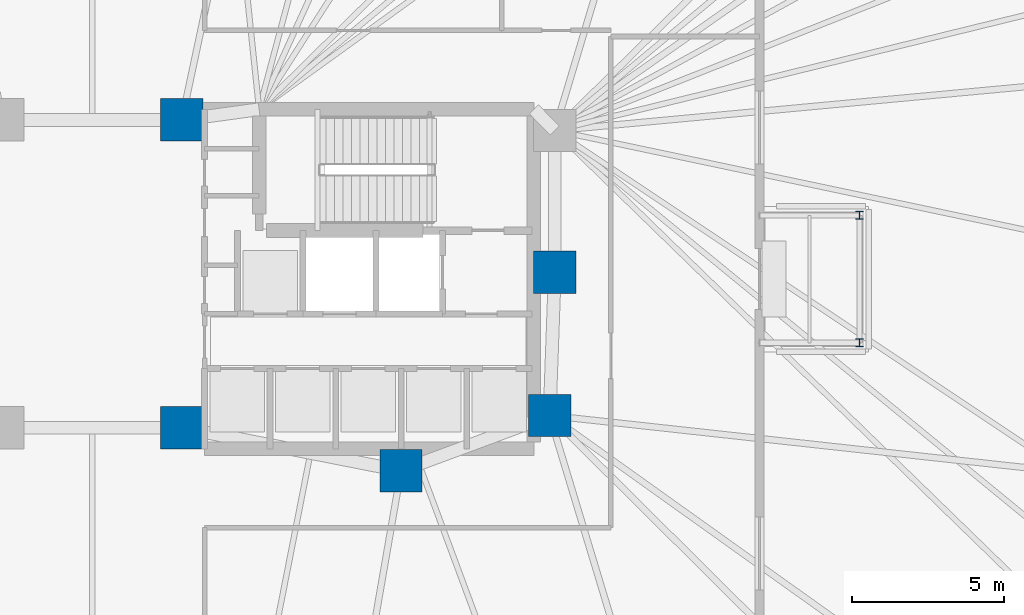
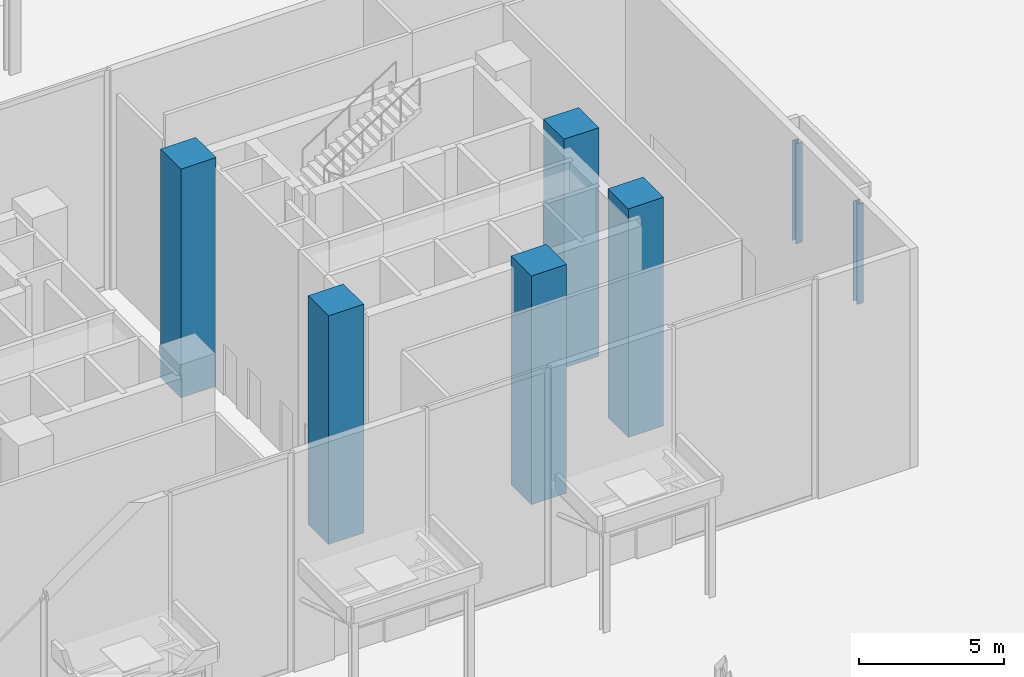
# One storey, part 6 of 24: 7 columns.
"""IFC4 building model written with IfcOpenShell, lengths in metres."""

from ifc_helpers import new_model, si_unit, direction, frame, origin, origin_2d, place, context, subcontext, project, spatial, rectangle, i_section, extrude, material, material_profile, profile_set, type_object, element, save


model = new_model("IFC4")

# Units and contexts
model_context = context("Model", 3, precision=1e-05, world=origin(), true_north=direction((0.0, 1.0)))
body_context = subcontext(model_context, "Body", "Model", "MODEL_VIEW")
ifc_project = project(units=[si_unit("LENGTHUNIT", "METRE"), si_unit("AREAUNIT", "SQUARE_METRE"), si_unit("VOLUMEUNIT", "CUBIC_METRE"), si_unit("PLANEANGLEUNIT", "RADIAN"), si_unit("MASSUNIT", "GRAM", prefix="KILO")], contexts=[model_context])

# Site, building, storey
site_placement = place(None, origin())
site = spatial("IfcSite", under=ifc_project, at=site_placement, CompositionType="ELEMENT")
building_placement = place(site_placement, origin())
building = spatial("IfcBuilding", under=site, at=building_placement, Name="Menara Jurai Vektor", CompositionType="ELEMENT")
storey_placement = place(building_placement, origin())
storey = spatial("IfcBuildingStorey", under=building, at=storey_placement, Name="L00", CompositionType="ELEMENT", Elevation=0.0)

# Columns
ifc_material_1 = material(Name="Steel S355", Category="steel")
ifc_material_profile_1 = material_profile(ifc_material_1, i_section(OverallWidth=0.259033203125, OverallDepth=0.26708984375, WebThickness=0.012939453125, FlangeThickness=0.02099609375, FilletRadius=0.012939453125, at=origin_2d()), Name="UKC 254x254x107")
ifc_profile_set_1 = profile_set([ifc_material_profile_1], Name="Steel S355")
column_type_1 = type_object("IfcColumnType", Name="STR-COL-CANOPY", PredefinedType="COLUMN", material=ifc_profile_set_1)
for number, where, z_axis, x_axis, name in (
    (1, (25.300048828125, -2.10009765625, 0.0), (0.0, 0.0, 1.0), (1.0, 0.0, 0.0), "Entrance Canopy Column E6-1"),
    (2, (25.300048828125, 2.10009765625, 0.0), (0.0, 0.0, 1.0), (1.0, 0.0, 0.0), "Entrance Canopy Column E6-2"),
):
    element("IfcColumn", number, at=place(storey_placement, frame(where, z_axis=z_axis, x_axis=x_axis)), inside=storey, type_object=column_type_1, Name=name, PredefinedType="COLUMN", context=body_context, shape_type="SweptSolid", body=[
        extrude(i_section(OverallWidth=0.259033203125, OverallDepth=0.26708984375, WebThickness=0.012939453125, FlangeThickness=0.02099609375, FilletRadius=0.012939453125, at=origin_2d()), origin(), (0.0, 0.0, 1.0), 4.199951171875),
    ])
ifc_material_2 = material(Name="Concrete C60/75", Category="concrete")
ifc_material_profile_2 = material_profile(ifc_material_2, rectangle(XDim=1.39990234375, YDim=1.39990234375, at=origin_2d()), Name="RC 1400x1400")
ifc_profile_set_2 = profile_set([ifc_material_profile_2], Name="Concrete C60/75")
column_type_2 = type_object("IfcColumnType", Name="STR-COL-RC1400", PredefinedType="COLUMN", material=ifc_profile_set_2)
for number, where, z_axis, x_axis, name in (
    (3, (15.25, 0.219970703125, 0.0), (0.0, 0.0, 1.0), (1.0, 0.0, 0.0), "Core Spine Column CE-EM L00"),
    (4, (15.080078125, -4.5, 0.0), (0.0, 0.0, 1.0), (1.0, 0.0, 0.0), "Core Spine Column CE-SE L00"),
    (5, (10.179931640625, -6.320068359375, 0.0), (0.0, 0.0, 1.0), (1.0, 0.0, 0.0), "Core Spine Column CE-SM L00"),
    (6, (2.949951171875, -4.89990234375, 0.0), (0.0, 0.0, 1.0), (1.0, 0.0, 0.0), "Core Spine Column CE-SW L00"),
    (7, (2.949951171875, 5.25, 0.0), (0.0, 0.0, 1.0), (1.0, 0.0, 0.0), "Core Spine Column CE-NW L00"),
):
    element("IfcColumn", number, at=place(storey_placement, frame(where, z_axis=z_axis, x_axis=x_axis)), inside=storey, type_object=column_type_2, Name=name, PredefinedType="COLUMN", context=body_context, shape_type="SweptSolid", body=[
        extrude(rectangle(XDim=1.39990234375, YDim=1.39990234375, at=origin_2d()), origin(), (0.0, 0.0, 1.0), 9.60009765625),
    ])

save(model, "model.ifc")
